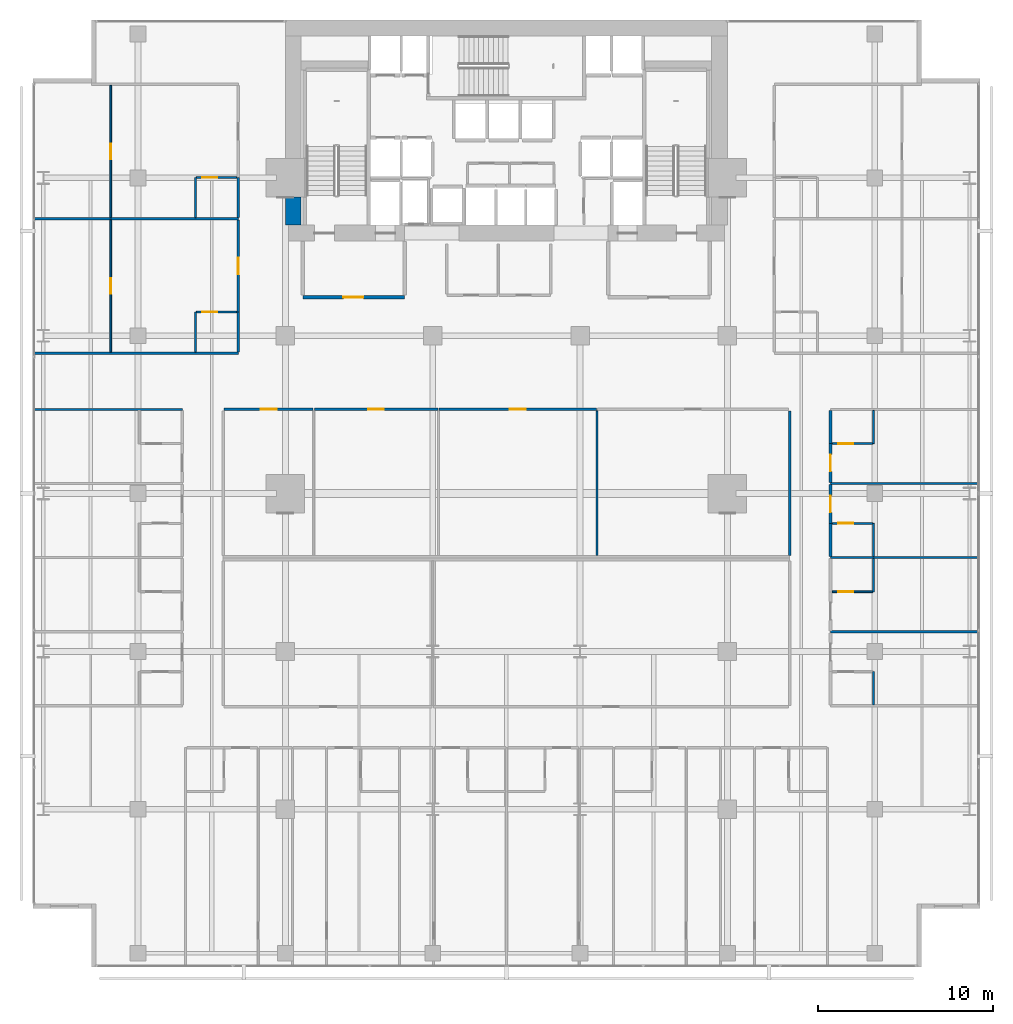
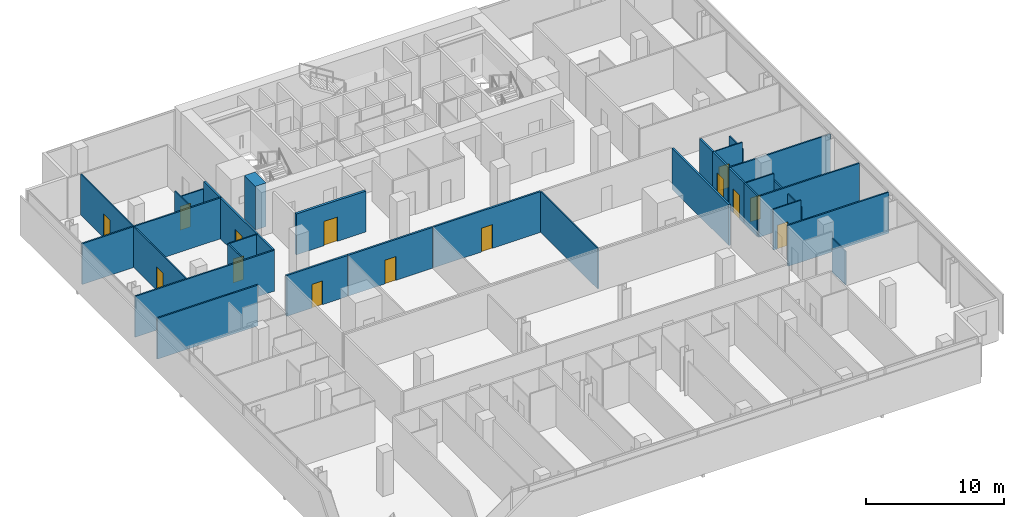
# One storey, part 35 of 40: 33 walls, 14 doors, 14 openings.
"""IFC4 building model written with IfcOpenShell, lengths in metres."""

from ifc_helpers import new_model, si_unit, direction, frame, frame_2d, origin, place, context, subcontext, project, spatial, rectangle, extrude, material, layer, layer_set, type_object, element, fill, save


model = new_model("IFC4")

# Units and contexts
model_context = context("Model", 3, precision=1e-05, world=origin(), true_north=direction((0.0, 1.0)))
body_context = subcontext(model_context, "Body", "Model", "MODEL_VIEW")
ifc_project = project(units=[si_unit("LENGTHUNIT", "METRE"), si_unit("AREAUNIT", "SQUARE_METRE"), si_unit("VOLUMEUNIT", "CUBIC_METRE"), si_unit("PLANEANGLEUNIT", "RADIAN"), si_unit("MASSUNIT", "GRAM", prefix="KILO")], contexts=[model_context])

# Site, building, storey
site_placement = place(None, origin())
site = spatial("IfcSite", under=ifc_project, at=site_placement, CompositionType="ELEMENT")
building_placement = place(site_placement, origin())
building = spatial("IfcBuilding", under=site, at=building_placement, Name="Maruvema Waterfront Hotel and Observation Tower", CompositionType="ELEMENT")
storey_placement = place(building_placement, frame((0.0, 0.0, 38.5)))
storey = spatial("IfcBuildingStorey", under=building, at=storey_placement, Name="L08", CompositionType="ELEMENT", Elevation=38.5)

# Wall
ifc_material_1 = material(Name="Twin-stud acoustic gypsum drywall", Category="gypsum")
ifc_layer_1 = layer(ifc_material_1, 0.14990234375, Name="Acoustic Corridor and Suite Demising Wall 150 mm")
ifc_layer_set_1 = layer_set([ifc_layer_1], Name="Twin-stud acoustic gypsum drywall")
wall_type_1 = type_object("IfcWallType", Name="Acoustic Corridor and Suite Demising Wall 150 mm", PredefinedType="PARTITIONING", material=ifc_layer_set_1)
wall_1_placement = place(storey_placement, frame((53.949951171875, 23.47998046875, 0.0), z_axis=(0.0, 0.0, 1.0), x_axis=(0.0, 1.0, 0.0)))
element("IfcWall", 1, at=wall_1_placement, inside=storey, type_object=wall_type_1, Name="L08 L08-INTN East Wall 024", PredefinedType="PARTITIONING", context=body_context, shape_type="SweptSolid", body=[
    extrude(rectangle(XDim=8.239990234375, YDim=0.14990234375, at=frame_2d((4.1201171875, 0.0))), origin(), (0.0, 0.0, 1.0), 3.610107421875),
])

# Wall, opening, door
wall_2_placement = place(storey_placement, frame((21.7099609375, 31.800048828125, 0.0), z_axis=(0.0, 0.0, 1.0), x_axis=(1.0, 0.0, 0.0)))
wall_2 = element("IfcWall", 2, at=wall_2_placement, inside=storey, type_object=wall_type_1, Name="L08 L08-INTN Front 1 025", PredefinedType="PARTITIONING", context=body_context, shape_type="SweptSolid", body=[
    extrude(rectangle(XDim=5.078125, YDim=0.14990234375, at=frame_2d((2.5390625, 0.0))), origin(), (0.0, 0.0, 1.0), 3.610107421875),
])
opening_1_placement = place(wall_2_placement, frame((2.089111328125, 0.0, 0.0)))
opening_1 = element("IfcOpeningElement", 3, at=opening_1_placement, cuts=wall_2, Name="Opening DR-090", PredefinedType="OPENING", context=body_context, shape_type="SweptSolid", body=[
    extrude(rectangle(XDim=0.89990234375, YDim=2.10009765625, at=frame_2d((0.449951171875, 1.050048828125))), frame((0.0, 0.0849609375, 0.0), z_axis=(0.0, -1.0, 0.0), x_axis=(1.0, 0.0, 0.0)), (0.0, 0.0, 1.0), 0.169921875),
])
ifc_material_2 = material(Name="Solid-core lacquered timber leaf", Category="wood")
door_type_1 = type_object("IfcDoorType", Name="Accessible Toilet and Room Door 900x2100 mm", OperationType="NOTDEFINED", PredefinedType="DOOR", material=ifc_material_2)
door_1_placement = place(opening_1_placement, origin())
door_1 = element("IfcDoor", 4, at=door_1_placement, inside=storey, type_object=door_type_1, Name="L08 Business Office 1 Door", OperationType="SINGLE_SWING_LEFT", OverallHeight=2.10009765625, OverallWidth=0.89990234375, PredefinedType="DOOR", context=body_context, shape_type="SweptSolid", body=[
    extrude(rectangle(XDim=0.89990234375, YDim=2.10009765625, at=frame_2d((0.449951171875, 1.050048828125))), frame((0.0, 0.02490234375, 0.0), z_axis=(0.0, -1.0, 0.0), x_axis=(1.0, 0.0, 0.0)), (0.0, 0.0, 1.0), 0.050048828125),
])
fill(opening_1, door_1)

wall_3_placement = place(storey_placement, frame((26.847900390625, 31.800048828125, 0.0), z_axis=(0.0, 0.0, 1.0), x_axis=(1.0, 0.0, 0.0)))
wall_3 = element("IfcWall", 5, at=wall_3_placement, inside=storey, type_object=wall_type_1, Name="L08 L08-INTN Front 2 027", PredefinedType="PARTITIONING", context=body_context, shape_type="SweptSolid", body=[
    extrude(rectangle(XDim=7.046142578125, YDim=0.14990234375, at=frame_2d((3.52294921875, 0.0))), origin(), (0.0, 0.0, 1.0), 3.610107421875),
])
opening_2_placement = place(wall_3_placement, frame((3.072998046875, 0.0, 0.0)))
opening_2 = element("IfcOpeningElement", 6, at=opening_2_placement, cuts=wall_3, Name="Opening DR-090", PredefinedType="OPENING", context=body_context, shape_type="SweptSolid", body=[
    extrude(rectangle(XDim=0.89990234375, YDim=2.10009765625, at=frame_2d((0.449951171875, 1.050048828125))), frame((0.0, 0.0849609375, 0.0), z_axis=(0.0, -1.0, 0.0), x_axis=(1.0, 0.0, 0.0)), (0.0, 0.0, 1.0), 0.169921875),
])
door_2_placement = place(opening_2_placement, origin())
door_2 = element("IfcDoor", 7, at=door_2_placement, inside=storey, type_object=door_type_1, Name="L08 Business Office 2 Door", OperationType="SINGLE_SWING_RIGHT", OverallHeight=2.10009765625, OverallWidth=0.89990234375, PredefinedType="DOOR", context=body_context, shape_type="SweptSolid", body=[
    extrude(rectangle(XDim=0.89990234375, YDim=2.10009765625, at=frame_2d((0.449951171875, 1.050048828125))), frame((0.0, 0.02490234375, 0.0), z_axis=(0.0, -1.0, 0.0), x_axis=(1.0, 0.0, 0.0)), (0.0, 0.0, 1.0), 0.050048828125),
])
fill(opening_2, door_2)

wall_4_placement = place(storey_placement, frame((33.9541015625, 31.800048828125, 0.0), z_axis=(0.0, 0.0, 1.0), x_axis=(1.0, 0.0, 0.0)))
wall_4 = element("IfcWall", 8, at=wall_4_placement, inside=storey, type_object=wall_type_1, Name="L08 L08-INTN Front 3 029", PredefinedType="PARTITIONING", context=body_context, shape_type="SweptSolid", body=[
    extrude(rectangle(XDim=8.98388671875, YDim=0.14990234375, at=frame_2d((4.491943359375, 0.0))), origin(), (0.0, 0.0, 1.0), 3.610107421875),
])
opening_3_placement = place(wall_4_placement, frame((4.0419921875, 0.0, 0.0)))
opening_3 = element("IfcOpeningElement", 9, at=opening_3_placement, cuts=wall_4, Name="Opening DR-090", PredefinedType="OPENING", context=body_context, shape_type="SweptSolid", body=[
    extrude(rectangle(XDim=0.89990234375, YDim=2.10009765625, at=frame_2d((0.449951171875, 1.050048828125))), frame((0.0, 0.0849609375, 0.0), z_axis=(0.0, -1.0, 0.0), x_axis=(1.0, 0.0, 0.0)), (0.0, 0.0, 1.0), 0.169921875),
])
door_3_placement = place(opening_3_placement, origin())
door_3 = element("IfcDoor", 10, at=door_3_placement, inside=storey, type_object=door_type_1, Name="L08 Butler Kitchenette Door", OperationType="SINGLE_SWING_LEFT", OverallHeight=2.10009765625, OverallWidth=0.89990234375, PredefinedType="DOOR", context=body_context, shape_type="SweptSolid", body=[
    extrude(rectangle(XDim=0.89990234375, YDim=2.10009765625, at=frame_2d((0.449951171875, 1.050048828125))), frame((0.0, 0.02490234375, 0.0), z_axis=(0.0, -1.0, 0.0), x_axis=(1.0, 0.0, 0.0)), (0.0, 0.0, 1.0), 0.050048828125),
])
fill(opening_3, door_3)

# Wall
wall_5_placement = place(storey_placement, frame((56.280029296875, 23.409912109375, 0.0), z_axis=(0.0, 0.0, 1.0), x_axis=(0.0, 1.0, 0.0)))
element("IfcWall", 11, at=wall_5_placement, inside=storey, type_object=wall_type_1, Name="L08 Bath L08-E3 Wall 109", PredefinedType="PARTITIONING", context=body_context, shape_type="SweptSolid", body=[
    extrude(rectangle(XDim=1.89013671875, YDim=0.14990234375, at=frame_2d((0.945068359375, 0.0))), origin(), (0.0, 0.0, 1.0), 3.610107421875),
])

# Wall, opening, door
wall_6_placement = place(storey_placement, frame((56.280029296875, 25.300048828125, 0.0), z_axis=(0.0, 0.0, 1.0), x_axis=(0.0, 1.0, 0.0)))
wall_6 = element("IfcWall", 12, at=wall_6_placement, inside=storey, type_object=wall_type_1, Name="L08 Room L08-E3 Corridor Wall 110", PredefinedType="PARTITIONING", context=body_context, shape_type="SweptSolid", body=[
    extrude(rectangle(XDim=2.2099609375, YDim=0.14990234375, at=frame_2d((1.10498046875, 0.0))), origin(), (0.0, 0.0, 1.0), 3.610107421875),
])
opening_4_placement = place(wall_6_placement, frame((0.6298828125, 0.0, 0.0)))
opening_4 = element("IfcOpeningElement", 13, at=opening_4_placement, cuts=wall_6, Name="Opening DR-095", PredefinedType="OPENING", context=body_context, shape_type="SweptSolid", body=[
    extrude(rectangle(XDim=0.949951171875, YDim=2.14990234375, at=frame_2d((0.47509765625, 1.074951171875))), frame((0.0, 0.0849609375, 0.0), z_axis=(0.0, -1.0, 0.0), x_axis=(1.0, 0.0, 0.0)), (0.0, 0.0, 1.0), 0.169921875),
])
ifc_material_3 = material(Name="Acoustic solid-core hardwood timber leaf", Category="wood")
door_type_2 = type_object("IfcDoorType", Name="Guestroom Entrance Fire Door 950x2150 mm", OperationType="NOTDEFINED", PredefinedType="DOOR", material=ifc_material_3)
door_4_placement = place(opening_4_placement, frame((0.949951171875, 0.0, 0.0), z_axis=(0.0, 0.0, 1.0), x_axis=(-1.0, 0.0, 0.0)))
door_4 = element("IfcDoor", 14, at=door_4_placement, inside=storey, type_object=door_type_2, Name="L08 Room L08-E3 Entrance Door", OperationType="SINGLE_SWING_RIGHT", OverallHeight=2.14990234375, OverallWidth=0.949951171875, PredefinedType="DOOR", context=body_context, shape_type="SweptSolid", body=[
    extrude(rectangle(XDim=0.949951171875, YDim=2.14990234375, at=frame_2d((0.47509765625, 1.074951171875))), frame((0.0, 0.02490234375, 0.0), z_axis=(0.0, -1.0, 0.0), x_axis=(1.0, 0.0, 0.0)), (0.0, 0.0, 1.0), 0.050048828125),
])
fill(opening_4, door_4)

wall_7_placement = place(storey_placement, frame((56.280029296875, 27.6298828125, 0.0), z_axis=(0.0, 0.0, 1.0), x_axis=(0.0, 1.0, 0.0)))
wall_7 = element("IfcWall", 15, at=wall_7_placement, inside=storey, type_object=wall_type_1, Name="L08 Room L08-E4 Corridor Wall 119", PredefinedType="PARTITIONING", context=body_context, shape_type="SweptSolid", body=[
    extrude(rectangle(XDim=2.22021484375, YDim=0.14990234375, at=frame_2d((1.110107421875, 0.0))), origin(), (0.0, 0.0, 1.0), 3.610107421875),
])
opening_5_placement = place(wall_7_placement, frame((0.635009765625, 0.0, 0.0)))
opening_5 = element("IfcOpeningElement", 16, at=opening_5_placement, cuts=wall_7, Name="Opening DR-095", PredefinedType="OPENING", context=body_context, shape_type="SweptSolid", body=[
    extrude(rectangle(XDim=0.949951171875, YDim=2.14990234375, at=frame_2d((0.47509765625, 1.074951171875))), frame((0.0, 0.0849609375, 0.0), z_axis=(0.0, -1.0, 0.0), x_axis=(1.0, 0.0, 0.0)), (0.0, 0.0, 1.0), 0.169921875),
])
door_5_placement = place(opening_5_placement, frame((0.949951171875, 0.0, 0.0), z_axis=(0.0, 0.0, 1.0), x_axis=(-1.0, 0.0, 0.0)))
door_5 = element("IfcDoor", 17, at=door_5_placement, inside=storey, type_object=door_type_2, Name="L08 Room L08-E4 Entrance Door", OperationType="SINGLE_SWING_RIGHT", OverallHeight=2.14990234375, OverallWidth=0.949951171875, PredefinedType="DOOR", context=body_context, shape_type="SweptSolid", body=[
    extrude(rectangle(XDim=0.949951171875, YDim=2.14990234375, at=frame_2d((0.47509765625, 1.074951171875))), frame((0.0, 0.02490234375, 0.0), z_axis=(0.0, -1.0, 0.0), x_axis=(1.0, 0.0, 0.0)), (0.0, 0.0, 1.0), 0.050048828125),
])
fill(opening_5, door_5)

# Walls
wall_8_placement = place(storey_placement, frame((56.280029296875, 29.85009765625, 0.0), z_axis=(0.0, 0.0, 1.0), x_axis=(0.0, 1.0, 0.0)))
element("IfcWall", 18, at=wall_8_placement, inside=storey, type_object=wall_type_1, Name="L08 Bath L08-E4 Wall 120", PredefinedType="PARTITIONING", context=body_context, shape_type="SweptSolid", body=[
    extrude(rectangle(XDim=1.889892578125, YDim=0.14990234375, at=frame_2d((0.94482421875, 0.0))), origin(), (0.0, 0.0, 1.0), 3.610107421875),
])
wall_9_placement = place(storey_placement, frame((22.52001953125, 35.06005859375, 0.0), z_axis=(0.0, 0.0, 1.0), x_axis=(0.0, 1.0, 0.0)))
element("IfcWall", 19, at=wall_9_placement, inside=storey, type_object=wall_type_1, Name="L08 Bath L08-NW1 Wall 127", PredefinedType="PARTITIONING", context=body_context, shape_type="SweptSolid", body=[
    extrude(rectangle(XDim=2.2900390625, YDim=0.14990234375, at=frame_2d((1.14501953125, 0.0))), origin(), (0.0, 0.0, 1.0), 3.610107421875),
])

# Wall, opening, door
wall_10_placement = place(storey_placement, frame((22.52001953125, 37.35009765625, 0.0), z_axis=(0.0, 0.0, 1.0), x_axis=(0.0, 1.0, 0.0)))
wall_10 = element("IfcWall", 20, at=wall_10_placement, inside=storey, type_object=wall_type_1, Name="L08 Room L08-NW1 Corridor Wall 128", PredefinedType="PARTITIONING", context=body_context, shape_type="SweptSolid", body=[
    extrude(rectangle(XDim=5.2587890625, YDim=0.14990234375, at=frame_2d((2.62939453125, 0.0))), origin(), (0.0, 0.0, 1.0), 3.610107421875),
])
opening_6_placement = place(wall_10_placement, frame((2.154296875, 0.0, 0.0)))
opening_6 = element("IfcOpeningElement", 21, at=opening_6_placement, cuts=wall_10, Name="Opening DR-095", PredefinedType="OPENING", context=body_context, shape_type="SweptSolid", body=[
    extrude(rectangle(XDim=0.949951171875, YDim=2.14990234375, at=frame_2d((0.47509765625, 1.074951171875))), frame((0.0, 0.0849609375, 0.0), z_axis=(0.0, -1.0, 0.0), x_axis=(1.0, 0.0, 0.0)), (0.0, 0.0, 1.0), 0.169921875),
])
door_6_placement = place(opening_6_placement, origin())
door_6 = element("IfcDoor", 22, at=door_6_placement, inside=storey, type_object=door_type_2, Name="L08 Room L08-NW1 Entrance Door", OperationType="SINGLE_SWING_RIGHT", OverallHeight=2.14990234375, OverallWidth=0.949951171875, PredefinedType="DOOR", context=body_context, shape_type="SweptSolid", body=[
    extrude(rectangle(XDim=0.949951171875, YDim=2.14990234375, at=frame_2d((0.47509765625, 1.074951171875))), frame((0.0, 0.02490234375, 0.0), z_axis=(0.0, -1.0, 0.0), x_axis=(1.0, 0.0, 0.0)), (0.0, 0.0, 1.0), 0.050048828125),
])
fill(opening_6, door_6)

# Walls
wall_11_placement = place(storey_placement, frame((22.52001953125, 42.728759765625, 0.0), z_axis=(0.0, 0.0, 1.0), x_axis=(0.0, 1.0, 0.0)))
element("IfcWall", 23, at=wall_11_placement, inside=storey, type_object=wall_type_1, Name="L08 Bath L08-NW2 Wall 139", PredefinedType="PARTITIONING", context=body_context, shape_type="SweptSolid", body=[
    extrude(rectangle(XDim=2.2900390625, YDim=0.14990234375, at=frame_2d((1.14501953125, 0.0))), origin(), (0.0, 0.0, 1.0), 3.610107421875),
])
ifc_material_4 = material(Name="Concrete C80/95", Category="concrete")
ifc_layer_2 = layer(ifc_material_4, 0.89990234375, Name="Core Shear Wall 900 mm")
ifc_layer_set_2 = layer_set([ifc_layer_2], Name="Concrete C80/95")
wall_type_2 = type_object("IfcWallType", Name="Core Shear Wall 900 mm", PredefinedType="SHEAR", material=ifc_layer_set_2)
wall_12_placement = place(storey_placement, frame((25.64990234375, 42.300048828125, 0.0), z_axis=(0.0, 0.0, 1.0), x_axis=(0.0, 1.0, 0.0)))
element("IfcWall", 24, at=wall_12_placement, inside=storey, type_object=wall_type_2, Name="L08 West-South Core Shear Wall", PredefinedType="SHEAR", context=body_context, shape_type="SweptSolid", body=[
    extrude(rectangle(XDim=1.599853515625, YDim=0.89990234375, at=frame_2d((0.7998046875, 0.0))), origin(), (0.0, 0.0, 1.0), 3.85009765625),
])
ifc_material_5 = material(Name="Moisture-resistant cement-board drywall", Category="gypsum")
ifc_layer_3 = layer(ifc_material_5, 0.10009765625, Name="En-Suite Moisture-Resistant Partition 100 mm")
ifc_layer_set_3 = layer_set([ifc_layer_3], Name="Moisture-resistant cement-board drywall")
wall_type_3 = type_object("IfcWallType", Name="En-Suite Moisture-Resistant Partition 100 mm", PredefinedType="PARTITIONING", material=ifc_layer_set_3)
wall_13_placement = place(storey_placement, frame((42.968017578125, 23.47998046875, 0.0), z_axis=(0.0, 0.0, 1.0), x_axis=(0.0, 1.0, 0.0)))
element("IfcWall", 25, at=wall_13_placement, inside=storey, type_object=wall_type_3, Name="L08 L08-INTN Split 3 030", PredefinedType="PARTITIONING", context=body_context, shape_type="SweptSolid", body=[
    extrude(rectangle(XDim=8.239990234375, YDim=0.10009765625, at=frame_2d((4.1201171875, 0.0))), origin(), (0.0, 0.0, 1.0), 3.610107421875),
])
for number, where, z_axis, x_axis, name in (
    (26, (58.72998046875, 14.9599609375, 0.0), (0.0, 0.0, 1.0), (0.0, 1.0, 0.0), "L08 En-Suite L08-E1 E 091"),
    (27, (58.72998046875, 21.39990234375, 0.0), (0.0, 0.0, 1.0), (0.0, 1.0, 0.0), "L08 En-Suite L08-E2 E 101"),
):
    element("IfcWall", number, at=place(storey_placement, frame(where, z_axis=z_axis, x_axis=x_axis)), inside=storey, type_object=wall_type_3, Name=name, PredefinedType="PARTITIONING", context=body_context, shape_type="SweptSolid", body=[
        extrude(rectangle(XDim=1.89013671875, YDim=0.10009765625, at=frame_2d((0.945068359375, 0.0))), origin(), (0.0, 0.0, 1.0), 2.988037109375),
    ])

# Wall, opening, door
wall_14_placement = place(storey_placement, frame((56.3798828125, 21.39990234375, 0.0), z_axis=(0.0, 0.0, 1.0), x_axis=(1.0, 0.0, 0.0)))
wall_14 = element("IfcWall", 28, at=wall_14_placement, inside=storey, type_object=wall_type_3, Name="L08 En-Suite L08-E2 S 102", PredefinedType="PARTITIONING", context=body_context, shape_type="SweptSolid", body=[
    extrude(rectangle(XDim=2.300048828125, YDim=0.10009765625, at=frame_2d((1.14990234375, 0.0))), origin(), (0.0, 0.0, 1.0), 3.610107421875),
])
opening_7_placement = place(wall_14_placement, frame((0.35009765625, 0.0, 0.0)))
opening_7 = element("IfcOpeningElement", 29, at=opening_7_placement, cuts=wall_14, Name="Opening DR-085", PredefinedType="OPENING", context=body_context, shape_type="SweptSolid", body=[
    extrude(rectangle(XDim=0.85009765625, YDim=2.10009765625, at=frame_2d((0.425048828125, 1.050048828125))), frame((0.0, 0.06005859375, 0.0), z_axis=(0.0, -1.0, 0.0), x_axis=(1.0, 0.0, 0.0)), (0.0, 0.0, 1.0), 0.1201171875),
])
ifc_material_6 = material(Name="Moisture-resistant solid timber leaf", Category="wood")
door_type_3 = type_object("IfcDoorType", Name="En-Suite Bathroom Door 850x2100 mm", OperationType="NOTDEFINED", PredefinedType="DOOR", material=ifc_material_6)
door_7_placement = place(opening_7_placement, frame((0.85009765625, 0.0, 0.0), z_axis=(0.0, 0.0, 1.0), x_axis=(-1.0, 0.0, 0.0)))
door_7 = element("IfcDoor", 30, at=door_7_placement, inside=storey, type_object=door_type_3, Name="L08 En-Suite L08-E2 Door", OperationType="SINGLE_SWING_LEFT", OverallHeight=2.10009765625, OverallWidth=0.85009765625, PredefinedType="DOOR", context=body_context, shape_type="SweptSolid", body=[
    extrude(rectangle(XDim=0.85009765625, YDim=2.10009765625, at=frame_2d((0.425048828125, 1.050048828125))), frame((0.0, 0.02490234375, 0.0), z_axis=(0.0, -1.0, 0.0), x_axis=(1.0, 0.0, 0.0)), (0.0, 0.0, 1.0), 0.050048828125),
])
fill(opening_7, door_7)

# Wall
wall_15_placement = place(storey_placement, frame((58.72998046875, 23.409912109375, 0.0), z_axis=(0.0, 0.0, 1.0), x_axis=(0.0, 1.0, 0.0)))
element("IfcWall", 31, at=wall_15_placement, inside=storey, type_object=wall_type_3, Name="L08 En-Suite L08-E3 E 111", PredefinedType="PARTITIONING", context=body_context, shape_type="SweptSolid", body=[
    extrude(rectangle(XDim=1.89013671875, YDim=0.10009765625, at=frame_2d((0.945068359375, 0.0))), origin(), (0.0, 0.0, 1.0), 2.988037109375),
])

# Wall, opening, door
wall_16_placement = place(storey_placement, frame((56.3798828125, 25.300048828125, 0.0), z_axis=(0.0, 0.0, 1.0), x_axis=(1.0, 0.0, 0.0)))
wall_16 = element("IfcWall", 32, at=wall_16_placement, inside=storey, type_object=wall_type_3, Name="L08 En-Suite L08-E3 N 112", PredefinedType="PARTITIONING", context=body_context, shape_type="SweptSolid", body=[
    extrude(rectangle(XDim=2.300048828125, YDim=0.10009765625, at=frame_2d((1.14990234375, 0.0))), origin(), (0.0, 0.0, 1.0), 3.610107421875),
])
opening_8_placement = place(wall_16_placement, frame((0.35009765625, 0.0, 0.0)))
opening_8 = element("IfcOpeningElement", 33, at=opening_8_placement, cuts=wall_16, Name="Opening DR-085", PredefinedType="OPENING", context=body_context, shape_type="SweptSolid", body=[
    extrude(rectangle(XDim=0.85009765625, YDim=2.10009765625, at=frame_2d((0.425048828125, 1.050048828125))), frame((0.0, 0.06005859375, 0.0), z_axis=(0.0, -1.0, 0.0), x_axis=(1.0, 0.0, 0.0)), (0.0, 0.0, 1.0), 0.1201171875),
])
door_8_placement = place(opening_8_placement, origin())
door_8 = element("IfcDoor", 34, at=door_8_placement, inside=storey, type_object=door_type_3, Name="L08 En-Suite L08-E3 Door", OperationType="SINGLE_SWING_LEFT", OverallHeight=2.10009765625, OverallWidth=0.85009765625, PredefinedType="DOOR", context=body_context, shape_type="SweptSolid", body=[
    extrude(rectangle(XDim=0.85009765625, YDim=2.10009765625, at=frame_2d((0.425048828125, 1.050048828125))), frame((0.0, 0.02490234375, 0.0), z_axis=(0.0, -1.0, 0.0), x_axis=(1.0, 0.0, 0.0)), (0.0, 0.0, 1.0), 0.050048828125),
])
fill(opening_8, door_8)

# Wall
wall_17_placement = place(storey_placement, frame((58.72998046875, 29.85009765625, 0.0), z_axis=(0.0, 0.0, 1.0), x_axis=(0.0, 1.0, 0.0)))
element("IfcWall", 35, at=wall_17_placement, inside=storey, type_object=wall_type_3, Name="L08 En-Suite L08-E4 E 121", PredefinedType="PARTITIONING", context=body_context, shape_type="SweptSolid", body=[
    extrude(rectangle(XDim=1.889892578125, YDim=0.10009765625, at=frame_2d((0.94482421875, 0.0))), origin(), (0.0, 0.0, 1.0), 2.988037109375),
])

# Wall, opening, door
wall_18_placement = place(storey_placement, frame((56.3798828125, 29.85009765625, 0.0), z_axis=(0.0, 0.0, 1.0), x_axis=(1.0, 0.0, 0.0)))
wall_18 = element("IfcWall", 36, at=wall_18_placement, inside=storey, type_object=wall_type_3, Name="L08 En-Suite L08-E4 S 122", PredefinedType="PARTITIONING", context=body_context, shape_type="SweptSolid", body=[
    extrude(rectangle(XDim=2.300048828125, YDim=0.10009765625, at=frame_2d((1.14990234375, 0.0))), origin(), (0.0, 0.0, 1.0), 3.610107421875),
])
opening_9_placement = place(wall_18_placement, frame((0.35009765625, 0.0, 0.0)))
opening_9 = element("IfcOpeningElement", 37, at=opening_9_placement, cuts=wall_18, Name="Opening DR-085", PredefinedType="OPENING", context=body_context, shape_type="SweptSolid", body=[
    extrude(rectangle(XDim=0.85009765625, YDim=2.10009765625, at=frame_2d((0.425048828125, 1.050048828125))), frame((0.0, 0.06005859375, 0.0), z_axis=(0.0, -1.0, 0.0), x_axis=(1.0, 0.0, 0.0)), (0.0, 0.0, 1.0), 0.1201171875),
])
door_9_placement = place(opening_9_placement, frame((0.85009765625, 0.0, 0.0), z_axis=(0.0, 0.0, 1.0), x_axis=(-1.0, 0.0, 0.0)))
door_9 = element("IfcDoor", 38, at=door_9_placement, inside=storey, type_object=door_type_3, Name="L08 En-Suite L08-E4 Door", OperationType="SINGLE_SWING_LEFT", OverallHeight=2.10009765625, OverallWidth=0.85009765625, PredefinedType="DOOR", context=body_context, shape_type="SweptSolid", body=[
    extrude(rectangle(XDim=0.85009765625, YDim=2.10009765625, at=frame_2d((0.425048828125, 1.050048828125))), frame((0.0, 0.02490234375, 0.0), z_axis=(0.0, -1.0, 0.0), x_axis=(1.0, 0.0, 0.0)), (0.0, 0.0, 1.0), 0.050048828125),
])
fill(opening_9, door_9)

# Wall
wall_19_placement = place(storey_placement, frame((20.070068359375, 35.06005859375, 0.0), z_axis=(0.0, 0.0, 1.0), x_axis=(0.0, 1.0, 0.0)))
element("IfcWall", 39, at=wall_19_placement, inside=storey, type_object=wall_type_3, Name="L08 En-Suite L08-NW1 W 129", PredefinedType="PARTITIONING", context=body_context, shape_type="SweptSolid", body=[
    extrude(rectangle(XDim=2.2900390625, YDim=0.10009765625, at=frame_2d((1.14501953125, 0.0))), origin(), (0.0, 0.0, 1.0), 3.610107421875),
])

# Wall, opening, door
wall_20_placement = place(storey_placement, frame((20.1201171875, 37.35009765625, 0.0), z_axis=(0.0, 0.0, 1.0), x_axis=(1.0, 0.0, 0.0)))
wall_20 = element("IfcWall", 40, at=wall_20_placement, inside=storey, type_object=wall_type_3, Name="L08 En-Suite L08-NW1 N 130", PredefinedType="PARTITIONING", context=body_context, shape_type="SweptSolid", body=[
    extrude(rectangle(XDim=2.2998046875, YDim=0.10009765625, at=frame_2d((1.14990234375, 0.0))), origin(), (0.0, 0.0, 1.0), 3.610107421875),
])
opening_10_placement = place(wall_20_placement, frame((0.35009765625, 0.0, 0.0)))
opening_10 = element("IfcOpeningElement", 41, at=opening_10_placement, cuts=wall_20, Name="Opening DR-085", PredefinedType="OPENING", context=body_context, shape_type="SweptSolid", body=[
    extrude(rectangle(XDim=0.85009765625, YDim=2.10009765625, at=frame_2d((0.425048828125, 1.050048828125))), frame((0.0, 0.06005859375, 0.0), z_axis=(0.0, -1.0, 0.0), x_axis=(1.0, 0.0, 0.0)), (0.0, 0.0, 1.0), 0.1201171875),
])
door_10_placement = place(opening_10_placement, origin())
door_10 = element("IfcDoor", 42, at=door_10_placement, inside=storey, type_object=door_type_3, Name="L08 En-Suite L08-NW1 Door", OperationType="SINGLE_SWING_LEFT", OverallHeight=2.10009765625, OverallWidth=0.85009765625, PredefinedType="DOOR", context=body_context, shape_type="SweptSolid", body=[
    extrude(rectangle(XDim=0.85009765625, YDim=2.10009765625, at=frame_2d((0.425048828125, 1.050048828125))), frame((0.0, 0.02490234375, 0.0), z_axis=(0.0, -1.0, 0.0), x_axis=(1.0, 0.0, 0.0)), (0.0, 0.0, 1.0), 0.050048828125),
])
fill(opening_10, door_10)

wall_21_placement = place(storey_placement, frame((15.24951171875, 35.06005859375, 0.0), z_axis=(0.0, 0.0, 1.0), x_axis=(0.0, 1.0, 0.0)))
wall_21 = element("IfcWall", 43, at=wall_21_placement, inside=storey, type_object=wall_type_3, Name="L08 Suite L08-NW1 Split 131", PredefinedType="PARTITIONING", context=body_context, shape_type="SweptSolid", body=[
    extrude(rectangle(XDim=7.548828125, YDim=0.10009765625, at=frame_2d((3.7744140625, 0.0))), origin(), (0.0, 0.0, 1.0), 3.610107421875),
])
opening_11_placement = place(wall_21_placement, frame((3.324462890625, 0.0, 0.0)))
opening_11 = element("IfcOpeningElement", 44, at=opening_11_placement, cuts=wall_21, Name="Opening DR-090", PredefinedType="OPENING", context=body_context, shape_type="SweptSolid", body=[
    extrude(rectangle(XDim=0.89990234375, YDim=2.10009765625, at=frame_2d((0.449951171875, 1.050048828125))), frame((0.0, 0.06005859375, 0.0), z_axis=(0.0, -1.0, 0.0), x_axis=(1.0, 0.0, 0.0)), (0.0, 0.0, 1.0), 0.1201171875),
])
door_11_placement = place(opening_11_placement, origin())
door_11 = element("IfcDoor", 45, at=door_11_placement, inside=storey, type_object=door_type_1, Name="L08 Suite L08-NW1 Bedroom Door", OperationType="SINGLE_SWING_LEFT", OverallHeight=2.10009765625, OverallWidth=0.89990234375, PredefinedType="DOOR", context=body_context, shape_type="SweptSolid", body=[
    extrude(rectangle(XDim=0.89990234375, YDim=2.10009765625, at=frame_2d((0.449951171875, 1.050048828125))), frame((0.0, 0.02490234375, 0.0), z_axis=(0.0, -1.0, 0.0), x_axis=(1.0, 0.0, 0.0)), (0.0, 0.0, 1.0), 0.050048828125),
])
fill(opening_11, door_11)

# Wall
wall_22_placement = place(storey_placement, frame((20.070068359375, 42.728759765625, 0.0), z_axis=(0.0, 0.0, 1.0), x_axis=(0.0, 1.0, 0.0)))
element("IfcWall", 46, at=wall_22_placement, inside=storey, type_object=wall_type_3, Name="L08 En-Suite L08-NW2 W 141", PredefinedType="PARTITIONING", context=body_context, shape_type="SweptSolid", body=[
    extrude(rectangle(XDim=2.2900390625, YDim=0.10009765625, at=frame_2d((1.14501953125, 0.0))), origin(), (0.0, 0.0, 1.0), 3.610107421875),
])

# Wall, opening, door
wall_23_placement = place(storey_placement, frame((20.1201171875, 45.018798828125, 0.0), z_axis=(0.0, 0.0, 1.0), x_axis=(1.0, 0.0, 0.0)))
wall_23 = element("IfcWall", 47, at=wall_23_placement, inside=storey, type_object=wall_type_3, Name="L08 En-Suite L08-NW2 N 142", PredefinedType="PARTITIONING", context=body_context, shape_type="SweptSolid", body=[
    extrude(rectangle(XDim=2.2998046875, YDim=0.10009765625, at=frame_2d((1.14990234375, 0.0))), origin(), (0.0, 0.0, 1.0), 2.988037109375),
])
opening_12_placement = place(wall_23_placement, frame((0.35009765625, 0.0, 0.0)))
opening_12 = element("IfcOpeningElement", 48, at=opening_12_placement, cuts=wall_23, Name="Opening DR-085", PredefinedType="OPENING", context=body_context, shape_type="SweptSolid", body=[
    extrude(rectangle(XDim=0.85009765625, YDim=2.10009765625, at=frame_2d((0.425048828125, 1.050048828125))), frame((0.0, 0.06005859375, 0.0), z_axis=(0.0, -1.0, 0.0), x_axis=(1.0, 0.0, 0.0)), (0.0, 0.0, 1.0), 0.1201171875),
])
door_12_placement = place(opening_12_placement, origin())
door_12 = element("IfcDoor", 49, at=door_12_placement, inside=storey, type_object=door_type_3, Name="L08 En-Suite L08-NW2 Door", OperationType="SINGLE_SWING_LEFT", OverallHeight=2.10009765625, OverallWidth=0.85009765625, PredefinedType="DOOR", context=body_context, shape_type="SweptSolid", body=[
    extrude(rectangle(XDim=0.85009765625, YDim=2.10009765625, at=frame_2d((0.425048828125, 1.050048828125))), frame((0.0, 0.02490234375, 0.0), z_axis=(0.0, -1.0, 0.0), x_axis=(1.0, 0.0, 0.0)), (0.0, 0.0, 1.0), 0.050048828125),
])
fill(opening_12, door_12)

wall_24_placement = place(storey_placement, frame((15.24951171875, 42.728759765625, 0.0), z_axis=(0.0, 0.0, 1.0), x_axis=(0.0, 1.0, 0.0)))
wall_24 = element("IfcWall", 50, at=wall_24_placement, inside=storey, type_object=wall_type_3, Name="L08 Suite L08-NW2 Split 143", PredefinedType="PARTITIONING", context=body_context, shape_type="SweptSolid", body=[
    extrude(rectangle(XDim=7.548828125, YDim=0.10009765625, at=frame_2d((3.7744140625, 0.0))), origin(), (0.0, 0.0, 1.0), 3.610107421875),
])
opening_13_placement = place(wall_24_placement, frame((3.324462890625, 0.0, 0.0)))
opening_13 = element("IfcOpeningElement", 51, at=opening_13_placement, cuts=wall_24, Name="Opening DR-090", PredefinedType="OPENING", context=body_context, shape_type="SweptSolid", body=[
    extrude(rectangle(XDim=0.89990234375, YDim=2.10009765625, at=frame_2d((0.449951171875, 1.050048828125))), frame((0.0, 0.06005859375, 0.0), z_axis=(0.0, -1.0, 0.0), x_axis=(1.0, 0.0, 0.0)), (0.0, 0.0, 1.0), 0.1201171875),
])
door_13_placement = place(opening_13_placement, origin())
door_13 = element("IfcDoor", 52, at=door_13_placement, inside=storey, type_object=door_type_1, Name="L08 Suite L08-NW2 Bedroom Door", OperationType="SINGLE_SWING_LEFT", OverallHeight=2.10009765625, OverallWidth=0.89990234375, PredefinedType="DOOR", context=body_context, shape_type="SweptSolid", body=[
    extrude(rectangle(XDim=0.89990234375, YDim=2.10009765625, at=frame_2d((0.449951171875, 1.050048828125))), frame((0.0, 0.02490234375, 0.0), z_axis=(0.0, -1.0, 0.0), x_axis=(1.0, 0.0, 0.0)), (0.0, 0.0, 1.0), 0.050048828125),
])
fill(opening_13, door_13)

ifc_material_7 = material(Name="Autoclaved cellular concrete blockwork", Category="masonry")
ifc_layer_4 = layer(ifc_material_7, 0.199951171875, Name="Fire Compartment Masonry Wall 200 mm")
ifc_layer_set_4 = layer_set([ifc_layer_4], Name="Autoclaved cellular concrete blockwork")
wall_type_4 = type_object("IfcWallType", Name="Fire Compartment Masonry Wall 200 mm", PredefinedType="PARTITIONING", material=ifc_layer_set_4)
wall_25_placement = place(storey_placement, frame((26.199951171875, 38.199951171875, 0.0), z_axis=(0.0, 0.0, 1.0), x_axis=(1.0, 0.0, 0.0)))
wall_25 = element("IfcWall", 53, at=wall_25_placement, inside=storey, type_object=wall_type_4, Name="L08 FFL West South Wall 001", PredefinedType="PARTITIONING", context=body_context, shape_type="SweptSolid", body=[
    extrude(rectangle(XDim=5.800048828125, YDim=0.199951171875, at=frame_2d((2.89990234375, 0.0))), origin(), (0.0, 0.0, 1.0), 3.610107421875),
])
opening_14_placement = place(wall_25_placement, frame((2.300048828125, 0.0, 0.0)))
opening_14 = element("IfcOpeningElement", 54, at=opening_14_placement, cuts=wall_25, Name="Opening FD-115", PredefinedType="OPENING", context=body_context, shape_type="SweptSolid", body=[
    extrude(rectangle(XDim=1.14990234375, YDim=2.14990234375, at=frame_2d((0.574951171875, 1.074951171875))), frame((0.0, 0.10986328125, 0.0), z_axis=(0.0, -1.0, 0.0), x_axis=(1.0, 0.0, 0.0)), (0.0, 0.0, 1.0), 0.219970703125),
])
ifc_material_8 = material(Name="Fire-rated galvanised steel and vision glass", Category="steel")
door_type_4 = type_object("IfcDoorType", Name="Firefighting Lobby Fire Door 1150x2150 mm", OperationType="NOTDEFINED", PredefinedType="DOOR", material=ifc_material_8)
door_14_placement = place(opening_14_placement, frame((1.14990234375, 0.0, 0.0), z_axis=(0.0, 0.0, 1.0), x_axis=(-1.0, 0.0, 0.0)))
door_14 = element("IfcDoor", 55, at=door_14_placement, inside=storey, type_object=door_type_4, Name="L08 Firefighting Lobby West Door", OperationType="SINGLE_SWING_LEFT", OverallHeight=2.14990234375, OverallWidth=1.14990234375, PredefinedType="DOOR", context=body_context, shape_type="SweptSolid", body=[
    extrude(rectangle(XDim=1.14990234375, YDim=2.14990234375, at=frame_2d((0.574951171875, 1.074951171875))), frame((0.0, 0.02490234375, 0.0), z_axis=(0.0, -1.0, 0.0), x_axis=(1.0, 0.0, 0.0)), (0.0, 0.0, 1.0), 0.050048828125),
])
fill(opening_14, door_14)

# Walls
ifc_material_9 = material(Name="Acoustic gypsum plasterboard drywall", Category="gypsum")
ifc_layer_5 = layer(ifc_material_9, 0.125, Name="Guestroom Acoustic Demising Wall 125 mm")
ifc_layer_set_5 = layer_set([ifc_layer_5], Name="Acoustic gypsum plasterboard drywall")
wall_type_5 = type_object("IfcWallType", Name="Guestroom Acoustic Demising Wall 125 mm", PredefinedType="PARTITIONING", material=ifc_layer_set_5)
wall_26_placement = place(storey_placement, frame((10.89990234375, 31.800048828125, 0.0), z_axis=(0.0, 0.0, 1.0), x_axis=(1.0, 0.0, 0.0)))
element("IfcWall", 56, at=wall_26_placement, inside=storey, type_object=wall_type_5, Name="L08 W Top End 083", PredefinedType="PARTITIONING", context=body_context, shape_type="SweptSolid", body=[
    extrude(rectangle(XDim=8.420166015625, YDim=0.125, at=frame_2d((4.2099609375, 0.0))), origin(), (0.0, 0.0, 1.0), 3.610107421875),
])
for number, where, z_axis, x_axis, name in (
    (57, (56.280029296875, 19.1201171875, 0.0), (0.0, 0.0, 1.0), (1.0, 0.0, 0.0), "L08 E Demising 2 094"),
    (58, (56.280029296875, 23.35009765625, 0.0), (0.0, 0.0, 1.0), (1.0, 0.0, 0.0), "L08 E Demising 3 104"),
    (59, (56.280029296875, 27.570068359375, 0.0), (0.0, 0.0, 1.0), (1.0, 0.0, 0.0), "L08 E Demising 4 114"),
):
    element("IfcWall", number, at=place(storey_placement, frame(where, z_axis=z_axis, x_axis=x_axis)), inside=storey, type_object=wall_type_5, Name=name, PredefinedType="PARTITIONING", context=body_context, shape_type="SweptSolid", body=[
        extrude(rectangle(XDim=8.419921875, YDim=0.125, at=frame_2d((4.2099609375, 0.0))), origin(), (0.0, 0.0, 1.0), 3.610107421875),
    ])
for number, where, z_axis, x_axis, name in (
    (60, (10.89990234375, 35.0, 0.0), (0.0, 0.0, 1.0), (1.0, 0.0, 0.0), "L08 NW Bot End 123"),
    (61, (10.89990234375, 42.668701171875, 0.0), (0.0, 0.0, 1.0), (1.0, 0.0, 0.0), "L08 NW Demising 2 137"),
):
    element("IfcWall", number, at=place(storey_placement, frame(where, z_axis=z_axis, x_axis=x_axis)), inside=storey, type_object=wall_type_5, Name=name, PredefinedType="PARTITIONING", context=body_context, shape_type="SweptSolid", body=[
        extrude(rectangle(XDim=11.6201171875, YDim=0.125, at=frame_2d((5.81005859375, 0.0))), origin(), (0.0, 0.0, 1.0), 3.610107421875),
    ])

save(model, "model.ifc")
